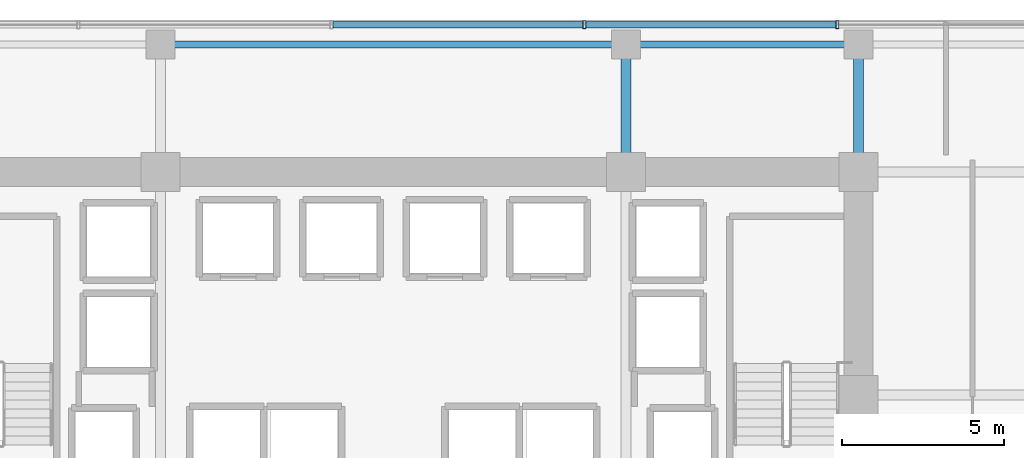
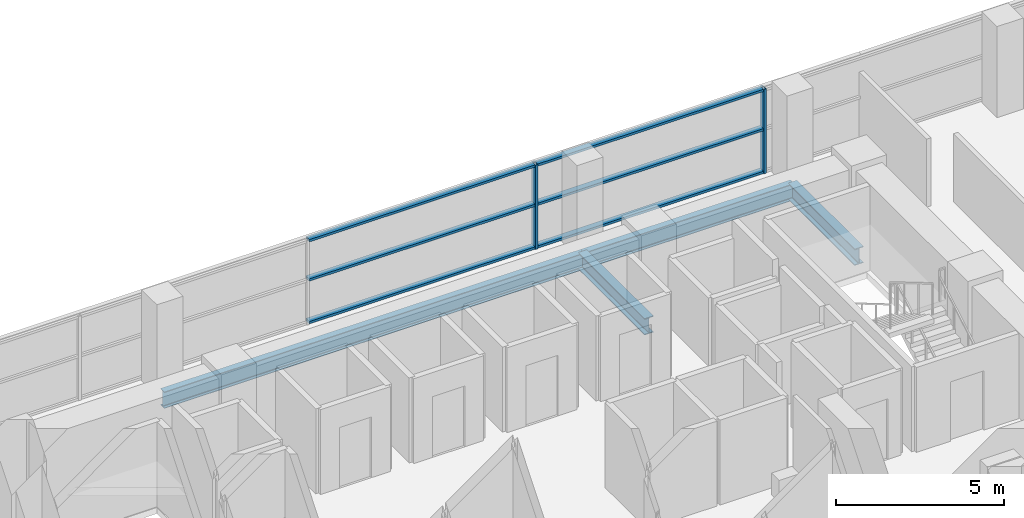
# One storey, part 20 of 31: 8 members, 4 beams, 1 element without a shape of its own.
"""IFC4 building model written with IfcOpenShell, lengths in metres."""

from ifc_helpers import new_model, si_unit, direction, frame, origin, origin_2d, place, context, subcontext, project, spatial, hollow_rectangle, i_section, extrude, source, transform, mapped, material, layer, layer_set, material_profile, profile_set, type_object, element, aggregate, save


model = new_model("IFC4")

# Units and contexts
model_context = context("Model", 3, precision=1e-05, world=origin(), true_north=direction((0.0, 1.0)))
body_context = subcontext(model_context, "Body", "Model", "MODEL_VIEW")
ifc_project = project(units=[si_unit("LENGTHUNIT", "METRE"), si_unit("AREAUNIT", "SQUARE_METRE"), si_unit("VOLUMEUNIT", "CUBIC_METRE"), si_unit("PLANEANGLEUNIT", "RADIAN"), si_unit("MASSUNIT", "GRAM", prefix="KILO")], contexts=[model_context])

# Site, building, storey
site_placement = place(None, origin())
site = spatial("IfcSite", under=ifc_project, at=site_placement, CompositionType="ELEMENT")
building_placement = place(site_placement, origin())
building = spatial("IfcBuilding", under=site, at=building_placement, Name="Zarnakvel Exchange Tower", CompositionType="ELEMENT")
storey_placement = place(building_placement, frame((0.0, 0.0, 60.39990234375)))
storey = spatial("IfcBuildingStorey", under=building, at=storey_placement, Name="L16", CompositionType="ELEMENT", Elevation=60.39990234375)

# Beams
ifc_material_1 = material(Name="Steel S355", Category="steel")
ifc_material_profile_1 = material_profile(ifc_material_1, i_section(OverallWidth=0.300048828125, OverallDepth=0.60009765625, WebThickness=0.015380859375, FlangeThickness=0.030029296875, FilletRadius=0.027099609375, at=origin_2d()))
ifc_profile_set_1 = profile_set([ifc_material_profile_1], Name="Steel S355")
beam_type_1 = type_object("IfcBeamType", Name="G-04", PredefinedType="BEAM", material=ifc_profile_set_1)
for number, where, z_axis, x_axis, name in (
    (1, (7.199951171875, 13.5, -0.52490234375), (0.0, 1.0, 0.0), (-1.0, 0.0, 0.0), "L16 Tower N-S Frame Beam"),
    (2, (14.39990234375, 13.5, -0.52490234375), (0.0, 1.0, 0.0), (-1.0, 0.0, 0.0), "L16 Tower N-S Frame Beam"),
):
    element("IfcBeam", number, at=place(storey_placement, frame(where, z_axis=z_axis, x_axis=x_axis)), inside=storey, type_object=beam_type_1, Name=name, PredefinedType="BEAM", context=body_context, shape_type="SweptSolid", body=[
        extrude(i_section(OverallWidth=0.300048828125, OverallDepth=0.60009765625, WebThickness=0.015380859375, FlangeThickness=0.030029296875, FilletRadius=0.027099609375, at=origin_2d()), origin(), (0.0, 0.0, 1.0), 3.949951171875),
    ])
ifc_material_profile_2 = material_profile(ifc_material_1, i_section(OverallWidth=0.219970703125, OverallDepth=0.60009765625, WebThickness=0.011962890625, FlangeThickness=0.01904296875, FilletRadius=0.02392578125, at=origin_2d()))
ifc_profile_set_2 = profile_set([ifc_material_profile_2], Name="Steel S355")
beam_type_2 = type_object("IfcBeamType", Name="SP-01", PredefinedType="SPANDREL", material=ifc_profile_set_2)
beam_1_placement = place(storey_placement, frame((-7.199951171875, 17.449951171875, -0.52490234375), z_axis=(1.0, 0.0, 0.0), x_axis=(0.0, 1.0, 0.0)))
element("IfcBeam", 3, at=beam_1_placement, inside=storey, type_object=beam_type_2, Name="L16 Tower E-W Frame Beam", PredefinedType="SPANDREL", context=body_context, shape_type="SweptSolid", body=[
    extrude(i_section(OverallWidth=0.219970703125, OverallDepth=0.60009765625, WebThickness=0.011962890625, FlangeThickness=0.01904296875, FilletRadius=0.02392578125, at=origin_2d()), origin(), (0.0, 0.0, 1.0), 14.39990234375),
])
beam_2_placement = place(storey_placement, frame((7.199951171875, 17.449951171875, -0.52490234375), z_axis=(1.0, 0.0, 0.0), x_axis=(0.0, 1.0, 0.0)))
element("IfcBeam", 4, at=beam_2_placement, inside=storey, type_object=beam_type_2, Name="L16 Tower E-W Frame Beam", PredefinedType="SPANDREL", context=body_context, shape_type="SweptSolid", body=[
    extrude(i_section(OverallWidth=0.219970703125, OverallDepth=0.60009765625, WebThickness=0.011962890625, FlangeThickness=0.01904296875, FilletRadius=0.02392578125, at=origin_2d()), origin(), (0.0, 0.0, 1.0), 7.199951171875),
])

# Curtain wall, members
ifc_material_2 = material(Name="Architectural Bronze Anodised Aluminium", Category="aluminium")
ifc_layer = layer(ifc_material_2, 0.239990234375)
ifc_layer_set = layer_set([ifc_layer], Name="Architectural Bronze Anodised Aluminium")
curtain_wall_type = type_object("IfcCurtainWallType", Name="CW-02", PredefinedType="NOTDEFINED", material=ifc_layer_set)
curtain_wall_placement = place(storey_placement, origin())
curtain_wall = element("IfcCurtainWall", 5, at=curtain_wall_placement, inside=storey, type_object=curtain_wall_type, Name="L16 Curtain Wall CW-L16-N1 (CW-02)", PredefinedType="NOTDEFINED")
ifc_material_profile_3 = material_profile(ifc_material_2, hollow_rectangle(XDim=0.239990234375, YDim=0.090087890625, WallThickness=0.006103515625, at=origin_2d()))
ifc_profile_set_3 = profile_set([ifc_material_profile_3], Name="Architectural Bronze Anodised Aluminium")
member_type_1 = type_object("IfcMemberType", Name="CWM-02", PredefinedType="MULLION", material=ifc_profile_set_3)
shared_shape_1 = source(origin(), body_context, "Body", "SweptSolid", [
    extrude(hollow_rectangle(XDim=0.239990234375, YDim=0.090087890625, WallThickness=0.006103515625, at=origin_2d()), origin(), (0.0, 0.0, 1.0), 3.05517578125),
])
member_1_placement = place(storey_placement, frame((5.914306640625, 18.06005859375, 0.0), z_axis=(0.0, 0.0, 1.0), x_axis=(0.0, 1.0, 0.0)))
member_1 = element("IfcMember", 6, at=member_1_placement, type_object=member_type_1, Name="CW-02 mullion 5", PredefinedType="MULLION", context=body_context, shape_type="MappedRepresentation", body=[
    mapped(shared_shape_1, transform((0.0, 0.0, 0.0), x_axis=(1.0, 0.0, 0.0), y_axis=(0.0, 1.0, 0.0), z_axis=(0.0, 0.0, 1.0), scale=1.0)),
])
member_2_placement = place(storey_placement, frame((13.742919921875, 18.06005859375, 0.0), z_axis=(0.0, 0.0, 1.0), x_axis=(0.0, 1.0, 0.0)))
member_2 = element("IfcMember", 7, at=member_2_placement, type_object=member_type_1, Name="CW-02 mullion 6", PredefinedType="MULLION", context=body_context, shape_type="MappedRepresentation", body=[
    mapped(shared_shape_1, transform((0.0, 0.0, 0.0), x_axis=(1.0, 0.0, 0.0), y_axis=(0.0, 1.0, 0.0), z_axis=(0.0, 0.0, 1.0), scale=1.0)),
])
ifc_material_profile_4 = material_profile(ifc_material_2, hollow_rectangle(XDim=0.199951171875, YDim=0.0849609375, WallThickness=0.0048828125, at=origin_2d()))
ifc_profile_set_4 = profile_set([ifc_material_profile_4], Name="Architectural Bronze Anodised Aluminium")
member_type_2 = type_object("IfcMemberType", Name="CWT-02", PredefinedType="USERDEFINED", material=ifc_profile_set_4)
shared_shape_2 = source(origin(), body_context, "Body", "SweptSolid", [
    extrude(hollow_rectangle(XDim=0.199951171875, YDim=0.0849609375, WallThickness=0.0048828125, at=origin_2d()), origin(), (0.0, 0.0, 1.0), 7.738525390625),
])
member_3_placement = place(storey_placement, frame((5.959228515625, 18.06005859375, 0.04248046875), z_axis=(1.0, 0.0, 0.0), x_axis=(0.0, 1.0, 0.0)))
member_3 = element("IfcMember", 8, at=member_3_placement, type_object=member_type_2, Name="CW-02 transom 5.1", ObjectType="TRANSOM", PredefinedType="USERDEFINED", context=body_context, shape_type="MappedRepresentation", body=[
    mapped(shared_shape_2, transform((0.0, 0.0, 0.0), x_axis=(1.0, 0.0, 0.0), y_axis=(0.0, 1.0, 0.0), z_axis=(0.0, 0.0, 1.0), scale=1.0)),
])
member_4_placement = place(storey_placement, frame((5.959228515625, 18.06005859375, 1.588623046875), z_axis=(1.0, 0.0, 0.0), x_axis=(0.0, 1.0, 0.0)))
member_4 = element("IfcMember", 9, at=member_4_placement, type_object=member_type_2, Name="CW-02 transom 5.2", ObjectType="TRANSOM", PredefinedType="USERDEFINED", context=body_context, shape_type="MappedRepresentation", body=[
    mapped(shared_shape_2, transform((0.0, 0.0, 0.0), x_axis=(1.0, 0.0, 0.0), y_axis=(0.0, 1.0, 0.0), z_axis=(0.0, 0.0, 1.0), scale=1.0)),
])
member_5_placement = place(storey_placement, frame((5.959228515625, 18.06005859375, 3.0126953125), z_axis=(1.0, 0.0, 0.0), x_axis=(0.0, 1.0, 0.0)))
member_5 = element("IfcMember", 10, at=member_5_placement, type_object=member_type_2, Name="CW-02 transom 5.3", ObjectType="TRANSOM", PredefinedType="USERDEFINED", context=body_context, shape_type="MappedRepresentation", body=[
    mapped(shared_shape_2, transform((0.0, 0.0, 0.0), x_axis=(1.0, 0.0, 0.0), y_axis=(0.0, 1.0, 0.0), z_axis=(0.0, 0.0, 1.0), scale=1.0)),
])
shared_shape_3 = source(origin(), body_context, "Body", "SweptSolid", [
    extrude(hollow_rectangle(XDim=0.199951171875, YDim=0.0849609375, WallThickness=0.0048828125, at=origin_2d()), origin(), (0.0, 0.0, 1.0), 7.73876953125),
])
member_6_placement = place(storey_placement, frame((-1.869384765625, 18.06005859375, 0.04248046875), z_axis=(1.0, 0.0, 0.0), x_axis=(0.0, 1.0, 0.0)))
member_6 = element("IfcMember", 11, at=member_6_placement, type_object=member_type_2, Name="CW-02 transom 4.1", ObjectType="TRANSOM", PredefinedType="USERDEFINED", context=body_context, shape_type="MappedRepresentation", body=[
    mapped(shared_shape_3, transform((0.0, 0.0, 0.0), x_axis=(1.0, 0.0, 0.0), y_axis=(0.0, 1.0, 0.0), z_axis=(0.0, 0.0, 1.0), scale=1.0)),
])
member_7_placement = place(storey_placement, frame((-1.869384765625, 18.06005859375, 1.588623046875), z_axis=(1.0, 0.0, 0.0), x_axis=(0.0, 1.0, 0.0)))
member_7 = element("IfcMember", 12, at=member_7_placement, type_object=member_type_2, Name="CW-02 transom 4.2", ObjectType="TRANSOM", PredefinedType="USERDEFINED", context=body_context, shape_type="MappedRepresentation", body=[
    mapped(shared_shape_3, transform((0.0, 0.0, 0.0), x_axis=(1.0, 0.0, 0.0), y_axis=(0.0, 1.0, 0.0), z_axis=(0.0, 0.0, 1.0), scale=1.0)),
])
member_8_placement = place(storey_placement, frame((-1.869384765625, 18.06005859375, 3.0126953125), z_axis=(1.0, 0.0, 0.0), x_axis=(0.0, 1.0, 0.0)))
member_8 = element("IfcMember", 13, at=member_8_placement, type_object=member_type_2, Name="CW-02 transom 4.3", ObjectType="TRANSOM", PredefinedType="USERDEFINED", context=body_context, shape_type="MappedRepresentation", body=[
    mapped(shared_shape_3, transform((0.0, 0.0, 0.0), x_axis=(1.0, 0.0, 0.0), y_axis=(0.0, 1.0, 0.0), z_axis=(0.0, 0.0, 1.0), scale=1.0)),
])
aggregate(curtain_wall, [member_1, member_2, member_6, member_7, member_8, member_3, member_4, member_5])

save(model, "model.ifc")
